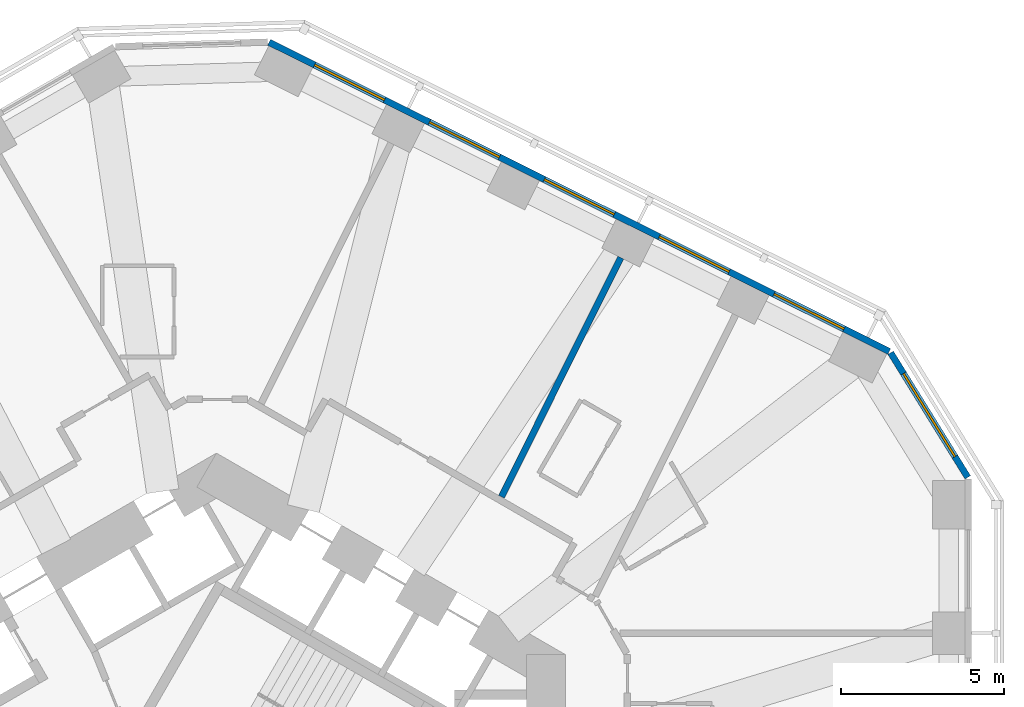
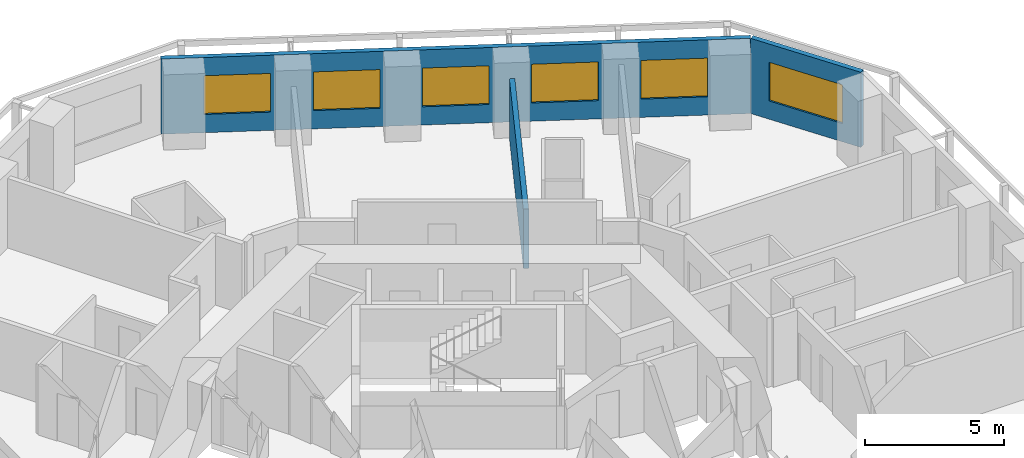
# One storey, part 9 of 12: 6 windows, 3 walls, 6 openings.
"""IFC4 building model written with IfcOpenShell, lengths in metres."""

from ifc_helpers import new_model, si_unit, direction, frame, frame_2d, origin, place, context, subcontext, project, spatial, rectangle, extrude, material, layer, layer_set, type_object, element, fill, save


model = new_model("IFC4")

# Units and contexts
model_context = context("Model", 3, precision=1e-05, world=origin(), true_north=direction((0.0, 1.0)))
body_context = subcontext(model_context, "Body", "Model", "MODEL_VIEW")
ifc_project = project(units=[si_unit("LENGTHUNIT", "METRE"), si_unit("AREAUNIT", "SQUARE_METRE"), si_unit("VOLUMEUNIT", "CUBIC_METRE"), si_unit("PLANEANGLEUNIT", "RADIAN"), si_unit("MASSUNIT", "GRAM", prefix="KILO")], contexts=[model_context])

# Site, building, storey
site_placement = place(None, origin())
site = spatial("IfcSite", under=ifc_project, at=site_placement, CompositionType="ELEMENT")
building_placement = place(site_placement, origin())
building = spatial("IfcBuilding", under=site, at=building_placement, Name="Vanh Sen Convention Tower", CompositionType="ELEMENT")
storey_placement = place(building_placement, frame((0.0, 0.0, 44.0)))
storey = spatial("IfcBuildingStorey", under=building, at=storey_placement, Name="L07", CompositionType="ELEMENT", Elevation=44.0)

# Wall, opening, window
ifc_material_1 = material(Name="Insulated lightweight infill wall")
ifc_layer_1 = layer(ifc_material_1, 0.199951171875)
ifc_layer_set_1 = layer_set([ifc_layer_1], Name="Insulated lightweight infill wall")
wall_type_1 = type_object("IfcWallType", Name="External wall 200", PredefinedType="STANDARD", material=ifc_layer_set_1)
wall_1_placement = place(storey_placement, frame((23.034912109375, 11.612060546875, 0.0), z_axis=(0.0, 0.0, 1.0), x_axis=(-0.526160091227, 0.850385535155, 0.0)))
wall_1 = element("IfcWall", 1, at=wall_1_placement, inside=storey, type_object=wall_type_1, Name="External wall CH1 L07", PredefinedType="STANDARD", context=body_context, shape_type="SweptSolid", body=[
    extrude(rectangle(XDim=4.493896484375, YDim=0.199951171875, at=frame_2d((2.2470703125, 0.0))), origin(), (0.0, 0.0, 1.0), 3.300048828125),
])
opening_1_placement = place(wall_1_placement, frame((0.746826171875, 0.0, 0.800048828125)))
opening_1 = element("IfcOpeningElement", 2, at=opening_1_placement, cuts=wall_1, Name="Opening WH2-CH11", PredefinedType="OPENING", context=body_context, shape_type="SweptSolid", body=[
    extrude(rectangle(XDim=3.0, YDim=1.699951171875, at=frame_2d((1.5, 0.85009765625))), frame((0.0, 0.10986328125, 0.0), z_axis=(0.0, -1.0, 0.0), x_axis=(1.0, 0.0, 0.0)), (0.0, 0.0, 1.0), 0.219970703125),
])
ifc_material_2 = material(Name="Aluminium frame with clear low-emissivity glass", Category="aluminium")
window_type_1 = type_object("IfcWindowType", Name="Hotel window 3000 x 1700", PartitioningType="SINGLE_PANEL", PredefinedType="WINDOW", material=ifc_material_2)
window_1_placement = place(opening_1_placement, origin())
window_1 = element("IfcWindow", 3, at=window_1_placement, inside=storey, type_object=window_type_1, Name="Window WH2-CH11", OverallHeight=1.699951171875, OverallWidth=3.0, PartitioningType="SINGLE_PANEL", PredefinedType="WINDOW", context=body_context, shape_type="SweptSolid", body=[
    extrude(rectangle(XDim=3.0, YDim=1.699951171875, at=frame_2d((1.5, 0.85009765625))), frame((0.0, 0.030029296875, 0.0), z_axis=(0.0, -1.0, 0.0), x_axis=(1.0, 0.0, 0.0)), (0.0, 0.0, 1.0), 0.06005859375),
])
fill(opening_1, window_1)

# Wall, openings, windows
wall_2_placement = place(storey_placement, frame((20.6298828125, 15.470458984375, 0.0), z_axis=(0.0, 0.0, 1.0), x_axis=(-0.894934518609, 0.446197498203, 0.0)))
wall_2 = element("IfcWall", 4, at=wall_2_placement, inside=storey, type_object=wall_type_1, Name="External wall NE L07", PredefinedType="STANDARD", context=body_context, shape_type="SweptSolid", body=[
    extrude(rectangle(XDim=21.24609375, YDim=0.199951171875, at=frame_2d((10.623046875, 0.0))), origin(), (0.0, 0.0, 1.0), 3.300048828125),
])
opening_2_placement = place(wall_2_placement, frame((1.552978515625, 0.0, 0.800048828125)))
opening_2 = element("IfcOpeningElement", 5, at=opening_2_placement, cuts=wall_2, Name="Opening WH1-NE1", PredefinedType="OPENING", context=body_context, shape_type="SweptSolid", body=[
    extrude(rectangle(XDim=2.39990234375, YDim=1.699951171875, at=frame_2d((1.199951171875, 0.85009765625))), frame((0.0, 0.10986328125, 0.0), z_axis=(0.0, -1.0, 0.0), x_axis=(1.0, 0.0, 0.0)), (0.0, 0.0, 1.0), 0.219970703125),
])
opening_3_placement = place(wall_2_placement, frame((5.48779296875, 0.0, 0.800048828125)))
opening_3 = element("IfcOpeningElement", 6, at=opening_3_placement, cuts=wall_2, Name="Opening WH1-NE2", PredefinedType="OPENING", context=body_context, shape_type="SweptSolid", body=[
    extrude(rectangle(XDim=2.39990234375, YDim=1.699951171875, at=frame_2d((1.199951171875, 0.85009765625))), frame((0.0, 0.10986328125, 0.0), z_axis=(0.0, -1.0, 0.0), x_axis=(1.0, 0.0, 0.0)), (0.0, 0.0, 1.0), 0.219970703125),
])
opening_4_placement = place(wall_2_placement, frame((9.42236328125, 0.0, 0.800048828125)))
opening_4 = element("IfcOpeningElement", 7, at=opening_4_placement, cuts=wall_2, Name="Opening WH1-NE3", PredefinedType="OPENING", context=body_context, shape_type="SweptSolid", body=[
    extrude(rectangle(XDim=2.39990234375, YDim=1.699951171875, at=frame_2d((1.199951171875, 0.85009765625))), frame((0.0, 0.10986328125, 0.0), z_axis=(0.0, -1.0, 0.0), x_axis=(1.0, 0.0, 0.0)), (0.0, 0.0, 1.0), 0.219970703125),
])
opening_5_placement = place(wall_2_placement, frame((13.35693359375, 0.0, 0.800048828125)))
opening_5 = element("IfcOpeningElement", 8, at=opening_5_placement, cuts=wall_2, Name="Opening WH1-NE4", PredefinedType="OPENING", context=body_context, shape_type="SweptSolid", body=[
    extrude(rectangle(XDim=2.39990234375, YDim=1.699951171875, at=frame_2d((1.199951171875, 0.85009765625))), frame((0.0, 0.10986328125, 0.0), z_axis=(0.0, -1.0, 0.0), x_axis=(1.0, 0.0, 0.0)), (0.0, 0.0, 1.0), 0.219970703125),
])
opening_6_placement = place(wall_2_placement, frame((17.29150390625, 0.0, 0.800048828125)))
opening_6 = element("IfcOpeningElement", 9, at=opening_6_placement, cuts=wall_2, Name="Opening WH1-NE5", PredefinedType="OPENING", context=body_context, shape_type="SweptSolid", body=[
    extrude(rectangle(XDim=2.39990234375, YDim=1.699951171875, at=frame_2d((1.199951171875, 0.85009765625))), frame((0.0, 0.10986328125, 0.0), z_axis=(0.0, -1.0, 0.0), x_axis=(1.0, 0.0, 0.0)), (0.0, 0.0, 1.0), 0.219970703125),
])
window_type_2 = type_object("IfcWindowType", Name="Hotel window 2400 x 1700", PartitioningType="SINGLE_PANEL", PredefinedType="WINDOW", material=ifc_material_2)
window_2_placement = place(opening_2_placement, origin())
window_2 = element("IfcWindow", 10, at=window_2_placement, inside=storey, type_object=window_type_2, Name="Window WH1-NE1", OverallHeight=1.699951171875, OverallWidth=2.39990234375, PartitioningType="SINGLE_PANEL", PredefinedType="WINDOW", context=body_context, shape_type="SweptSolid", body=[
    extrude(rectangle(XDim=2.39990234375, YDim=1.699951171875, at=frame_2d((1.199951171875, 0.85009765625))), frame((0.0, 0.030029296875, 0.0), z_axis=(0.0, -1.0, 0.0), x_axis=(1.0, 0.0, 0.0)), (0.0, 0.0, 1.0), 0.06005859375),
])
fill(opening_2, window_2)
window_3_placement = place(opening_3_placement, origin())
window_3 = element("IfcWindow", 11, at=window_3_placement, inside=storey, type_object=window_type_2, Name="Window WH1-NE2", OverallHeight=1.699951171875, OverallWidth=2.39990234375, PartitioningType="SINGLE_PANEL", PredefinedType="WINDOW", context=body_context, shape_type="SweptSolid", body=[
    extrude(rectangle(XDim=2.39990234375, YDim=1.699951171875, at=frame_2d((1.199951171875, 0.85009765625))), frame((0.0, 0.030029296875, 0.0), z_axis=(0.0, -1.0, 0.0), x_axis=(1.0, 0.0, 0.0)), (0.0, 0.0, 1.0), 0.06005859375),
])
fill(opening_3, window_3)
window_4_placement = place(opening_4_placement, origin())
window_4 = element("IfcWindow", 12, at=window_4_placement, inside=storey, type_object=window_type_2, Name="Window WH1-NE3", OverallHeight=1.699951171875, OverallWidth=2.39990234375, PartitioningType="SINGLE_PANEL", PredefinedType="WINDOW", context=body_context, shape_type="SweptSolid", body=[
    extrude(rectangle(XDim=2.39990234375, YDim=1.699951171875, at=frame_2d((1.199951171875, 0.85009765625))), frame((0.0, 0.030029296875, 0.0), z_axis=(0.0, -1.0, 0.0), x_axis=(1.0, 0.0, 0.0)), (0.0, 0.0, 1.0), 0.06005859375),
])
fill(opening_4, window_4)
window_5_placement = place(opening_5_placement, origin())
window_5 = element("IfcWindow", 13, at=window_5_placement, inside=storey, type_object=window_type_2, Name="Window WH1-NE4", OverallHeight=1.699951171875, OverallWidth=2.39990234375, PartitioningType="SINGLE_PANEL", PredefinedType="WINDOW", context=body_context, shape_type="SweptSolid", body=[
    extrude(rectangle(XDim=2.39990234375, YDim=1.699951171875, at=frame_2d((1.199951171875, 0.85009765625))), frame((0.0, 0.030029296875, 0.0), z_axis=(0.0, -1.0, 0.0), x_axis=(1.0, 0.0, 0.0)), (0.0, 0.0, 1.0), 0.06005859375),
])
fill(opening_5, window_5)
window_6_placement = place(opening_6_placement, origin())
window_6 = element("IfcWindow", 14, at=window_6_placement, inside=storey, type_object=window_type_2, Name="Window WH1-NE5", OverallHeight=1.699951171875, OverallWidth=2.39990234375, PartitioningType="SINGLE_PANEL", PredefinedType="WINDOW", context=body_context, shape_type="SweptSolid", body=[
    extrude(rectangle(XDim=2.39990234375, YDim=1.699951171875, at=frame_2d((1.199951171875, 0.85009765625))), frame((0.0, 0.030029296875, 0.0), z_axis=(0.0, -1.0, 0.0), x_axis=(1.0, 0.0, 0.0)), (0.0, 0.0, 1.0), 0.06005859375),
])
fill(opening_6, window_6)

# Wall
ifc_material_3 = material(Name="Gypsum board on steel studs with mineral wool", Category="steel")
ifc_layer_2 = layer(ifc_material_3, 0.199951171875)
ifc_layer_set_2 = layer_set([ifc_layer_2], Name="Gypsum board on steel studs with mineral wool")
wall_type_2 = type_object("IfcWallType", Name="Hotel party wall 200", PredefinedType="PARTITIONING", material=ifc_layer_set_2)
wall_3_placement = place(storey_placement, frame((12.393310546875, 18.347900390625, 0.0), z_axis=(0.0, 0.0, 1.0), x_axis=(-0.446176022699, -0.894945225569, 0.0)))
element("IfcWall", 15, at=wall_3_placement, inside=storey, type_object=wall_type_2, Name="Hotel party wall 200", PredefinedType="PARTITIONING", context=body_context, shape_type="SweptSolid", body=[
    extrude(rectangle(XDim=8.19091796875, YDim=0.199951171875, at=frame_2d((4.095458984375, 0.0))), origin(), (0.0, 0.0, 1.0), 2.60009765625),
])

save(model, "model.ifc")
